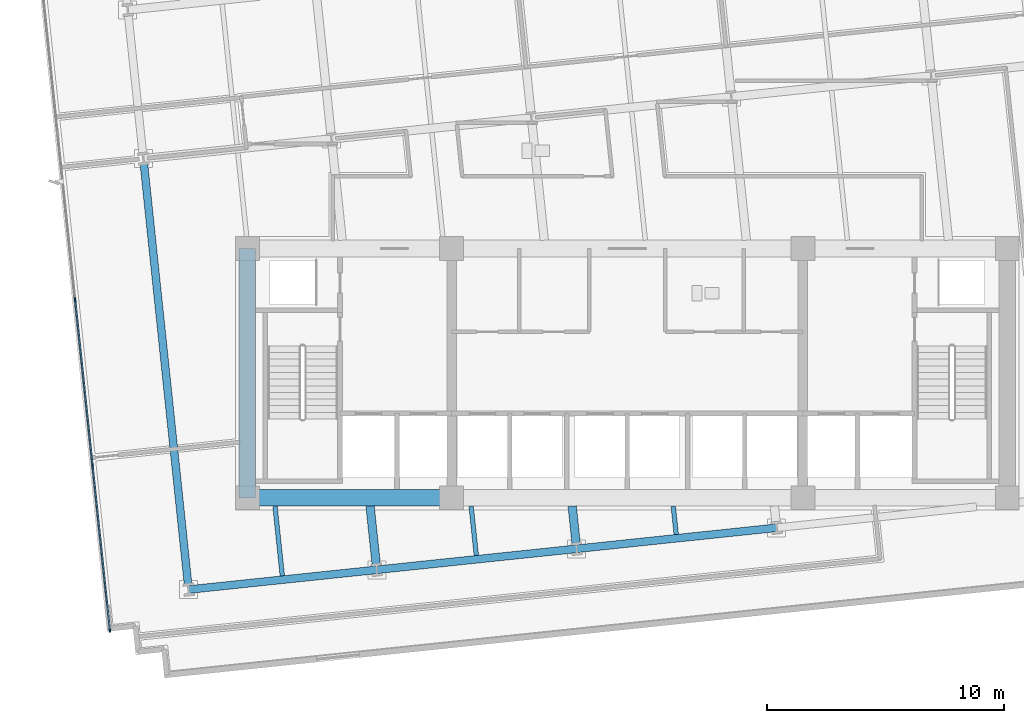
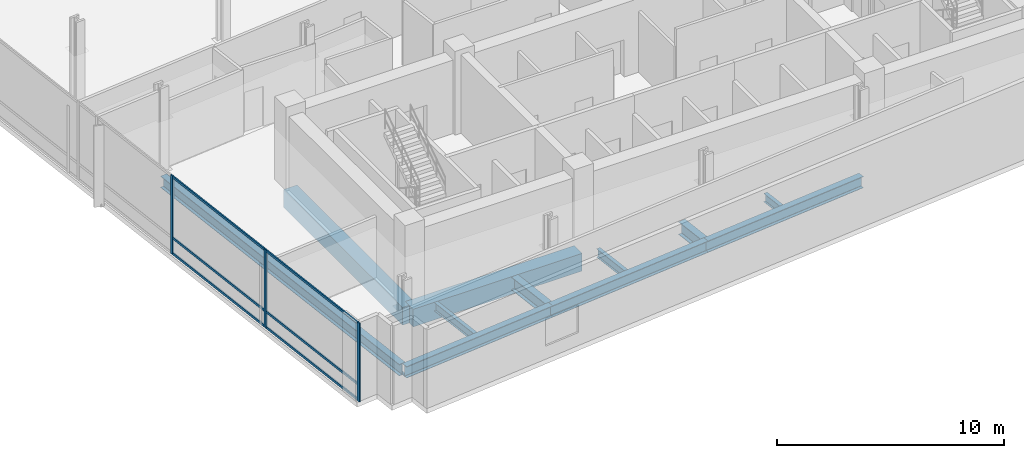
# One storey, part 2 of 20: 11 beams, 9 members, 1 element without a shape of its own.
"""IFC4 building model written with IfcOpenShell, lengths in metres."""

from ifc_helpers import new_model, si_unit, direction, frame, origin, origin_2d, place, context, subcontext, project, spatial, rectangle, i_section, extrude, material, material_profile, profile_set, type_object, element, aggregate, save


model = new_model("IFC4")

# Units and contexts
model_context = context("Model", 3, precision=1e-05, world=origin(), true_north=direction((0.0, 1.0)))
body_context = subcontext(model_context, "Body", "Model", "MODEL_VIEW")
ifc_project = project(units=[si_unit("LENGTHUNIT", "METRE"), si_unit("AREAUNIT", "SQUARE_METRE"), si_unit("VOLUMEUNIT", "CUBIC_METRE"), si_unit("PLANEANGLEUNIT", "RADIAN"), si_unit("MASSUNIT", "GRAM", prefix="KILO")], contexts=[model_context])

# Site, building, storey
site_placement = place(None, origin())
site = spatial("IfcSite", under=ifc_project, at=site_placement, CompositionType="ELEMENT")
building_placement = place(site_placement, origin())
building = spatial("IfcBuilding", under=site, at=building_placement, Name="Solmavex Isthmus Hotel", CompositionType="ELEMENT")
storey_placement = place(building_placement, frame((0.0, 0.0, 101.85009765625)))
storey = spatial("IfcBuildingStorey", under=building, at=storey_placement, Name="L27", CompositionType="ELEMENT", Elevation=101.85009765625)

# Beams
ifc_material_1 = material(Name="Steel ASTM A992 Grade 50", Category="steel")
ifc_material_profile_1 = material_profile(ifc_material_1, i_section(OverallWidth=0.354736328125, OverallDepth=0.695556640625, WebThickness=0.015380859375, FlangeThickness=0.02490234375, FilletRadius=0.017822265625, at=origin_2d()), Name="W27X146")
ifc_profile_set_1 = profile_set([ifc_material_profile_1], Name="Steel ASTM A992 Grade 50")
beam_type_1 = type_object("IfcBeamType", Name="BM-BG-W27X146", PredefinedType="BEAM", material=ifc_profile_set_1)
beam_1_placement = place(storey_placement, frame((-10.568115234375, -15.868896484375, -0.60791015625), z_axis=(-0.104589444628, 0.994515484079, 0.0), x_axis=(-0.994515484079, -0.104589444628, 0.0)))
element("IfcBeam", 1, at=beam_1_placement, inside=storey, type_object=beam_type_1, Name="Floor Beam L27-VG28", PredefinedType="BEAM", context=body_context, shape_type="SweptSolid", body=[
    extrude(i_section(OverallWidth=0.354736328125, OverallDepth=0.695556640625, WebThickness=0.015380859375, FlangeThickness=0.02490234375, FilletRadius=0.017822265625, at=origin_2d()), origin(), (0.0, 0.0, 1.0), 2.53271484375),
])
beam_2_placement = place(storey_placement, frame((-2.148681640625, -14.984130859375, -0.60791015625), z_axis=(-0.104460468373, 0.99452903957, 0.0), x_axis=(-0.99452903957, -0.104460468373, 0.0)))
element("IfcBeam", 2, at=beam_2_placement, inside=storey, type_object=beam_type_1, Name="Floor Beam L27-VG32", PredefinedType="BEAM", context=body_context, shape_type="SweptSolid", body=[
    extrude(i_section(OverallWidth=0.354736328125, OverallDepth=0.695556640625, WebThickness=0.015380859375, FlangeThickness=0.02490234375, FilletRadius=0.017822265625, at=origin_2d()), origin(), (0.0, 0.0, 1.0), 1.64306640625),
])
ifc_material_profile_2 = material_profile(ifc_material_1, i_section(OverallWidth=0.1904296875, OverallDepth=0.456787109375, WebThickness=0.009033203125, FlangeThickness=0.014404296875, FilletRadius=0.0126953125, at=origin_2d()), Name="W18X50")
ifc_profile_set_2 = profile_set([ifc_material_profile_2], Name="Steel ASTM A992 Grade 50")
beam_type_2 = type_object("IfcBeamType", Name="BM-BJ-W18X50", PredefinedType="JOIST", material=ifc_profile_set_2)
beam_3_placement = place(storey_placement, frame((-14.5302734375, -16.285400390625, -0.488525390625), z_axis=(-0.104555607512, 0.994519042019, 0.0), x_axis=(-0.994519042019, -0.104555607512, 0.0)))
element("IfcBeam", 3, at=beam_3_placement, inside=storey, type_object=beam_type_2, Name="Secondary Floor Joist L27-J01", PredefinedType="JOIST", context=body_context, shape_type="SweptSolid", body=[
    extrude(i_section(OverallWidth=0.1904296875, OverallDepth=0.456787109375, WebThickness=0.009033203125, FlangeThickness=0.014404296875, FilletRadius=0.0126953125, at=origin_2d()), origin(), (0.0, 0.0, 1.0), 2.951416015625),
])
beam_4_placement = place(storey_placement, frame((-6.3583984375, -15.426513671875, -0.488525390625), z_axis=(-0.104538696399, 0.99452081977, 0.0), x_axis=(-0.99452081977, -0.104538696399, 0.0)))
element("IfcBeam", 4, at=beam_4_placement, inside=storey, type_object=beam_type_2, Name="Secondary Floor Joist L27-J05", PredefinedType="JOIST", context=body_context, shape_type="SweptSolid", body=[
    extrude(i_section(OverallWidth=0.1904296875, OverallDepth=0.456787109375, WebThickness=0.009033203125, FlangeThickness=0.014404296875, FilletRadius=0.0126953125, at=origin_2d()), origin(), (0.0, 0.0, 1.0), 2.087890625),
])
beam_5_placement = place(storey_placement, frame((2.061279296875, -14.54150390625, -0.488525390625), z_axis=(-0.104546872872, 0.994519960269, 0.0), x_axis=(-0.994519960269, -0.104546872872, 0.0)))
element("IfcBeam", 5, at=beam_5_placement, inside=storey, type_object=beam_type_2, Name="Secondary Floor Joist L27-J09", PredefinedType="JOIST", context=body_context, shape_type="SweptSolid", body=[
    extrude(i_section(OverallWidth=0.1904296875, OverallDepth=0.456787109375, WebThickness=0.009033203125, FlangeThickness=0.014404296875, FilletRadius=0.0126953125, at=origin_2d()), origin(), (0.0, 0.0, 1.0), 1.197998046875),
])
ifc_material_2 = material(Name="Concrete C60/75", Category="concrete")
ifc_material_profile_3 = material_profile(ifc_material_2, rectangle(XDim=0.699951171875, YDim=0.949951171875, at=origin_2d()), Name="RC700X950")
ifc_profile_set_3 = profile_set([ifc_material_profile_3], Name="Concrete C60/75")
beam_type_3 = type_object("IfcBeamType", Name="BM-CB-700X950", PredefinedType="BEAM", material=ifc_profile_set_3)
beam_6_placement = place(storey_placement, frame((-16.0, -13.0, -0.735107421875), z_axis=(1.0, 0.0, 0.0), x_axis=(0.0, 1.0, 0.0)))
element("IfcBeam", 6, at=beam_6_placement, inside=storey, type_object=beam_type_3, Name="Core Coupling Beam L27-CB1", PredefinedType="BEAM", context=body_context, shape_type="SweptSolid", body=[
    extrude(rectangle(XDim=0.699951171875, YDim=0.949951171875, at=origin_2d()), origin(), (0.0, 0.0, 1.0), 8.60009765625),
])
beam_7_placement = place(storey_placement, frame((-16.0, -13.0, -0.735107421875), z_axis=(0.0, 1.0, 0.0), x_axis=(-1.0, 0.0, 0.0)))
element("IfcBeam", 7, at=beam_7_placement, inside=storey, type_object=beam_type_3, Name="Core Coupling Beam L27-CB7", PredefinedType="BEAM", context=body_context, shape_type="SweptSolid", body=[
    extrude(rectangle(XDim=0.699951171875, YDim=0.949951171875, at=origin_2d()), origin(), (0.0, 0.0, 1.0), 10.5),
])
ifc_material_profile_4 = material_profile(ifc_material_1, i_section(OverallWidth=0.326416015625, OverallDepth=0.621826171875, WebThickness=0.015380859375, FlangeThickness=0.0244140625, FilletRadius=0.01513671875, at=origin_2d()), Name="W24X131")
ifc_profile_set_4 = profile_set([ifc_material_profile_4], Name="Steel ASTM A992 Grade 50")
beam_type_4 = type_object("IfcBeamType", Name="BM-SP-W24X131", PredefinedType="SPANDREL", material=ifc_profile_set_4)
beam_8_placement = place(storey_placement, frame((-18.475341796875, -16.8642578125, -0.571044921875), z_axis=(0.994523402738, 0.104514120609, 0.0), x_axis=(-0.104514120609, 0.994523402738, 0.0)))
element("IfcBeam", 8, at=beam_8_placement, inside=storey, type_object=beam_type_4, Name="Floor Girder L27-UG01", PredefinedType="SPANDREL", context=body_context, shape_type="SweptSolid", body=[
    extrude(i_section(OverallWidth=0.326416015625, OverallDepth=0.621826171875, WebThickness=0.015380859375, FlangeThickness=0.0244140625, FilletRadius=0.01513671875, at=origin_2d()), origin(), (0.0, 0.0, 1.0), 7.968017578125),
])
beam_9_placement = place(storey_placement, frame((-10.551025390625, -16.031494140625, -0.571044921875), z_axis=(0.994520770064, 0.104539169271, 0.0), x_axis=(-0.104539169271, 0.994520770064, 0.0)))
element("IfcBeam", 9, at=beam_9_placement, inside=storey, type_object=beam_type_4, Name="Floor Girder L27-UG02", PredefinedType="SPANDREL", context=body_context, shape_type="SweptSolid", body=[
    extrude(i_section(OverallWidth=0.326416015625, OverallDepth=0.621826171875, WebThickness=0.015380859375, FlangeThickness=0.0244140625, FilletRadius=0.01513671875, at=origin_2d()), origin(), (0.0, 0.0, 1.0), 8.4658203125),
])
beam_10_placement = place(storey_placement, frame((-2.131591796875, -15.146484375, -0.571044921875), z_axis=(0.994521085209, 0.104536171134, 0.0), x_axis=(-0.104536171134, 0.994521085209, 0.0)))
element("IfcBeam", 10, at=beam_10_placement, inside=storey, type_object=beam_type_4, Name="Floor Girder L27-UG03", PredefinedType="SPANDREL", context=body_context, shape_type="SweptSolid", body=[
    extrude(i_section(OverallWidth=0.326416015625, OverallDepth=0.621826171875, WebThickness=0.015380859375, FlangeThickness=0.0244140625, FilletRadius=0.01513671875, at=origin_2d()), origin(), (0.0, 0.0, 1.0), 8.466064453125),
])
beam_11_placement = place(storey_placement, frame((-18.492431640625, -16.701904296875, -0.571044921875), z_axis=(-0.104530088192, 0.99452172458, 0.0), x_axis=(-0.99452172458, -0.104530088192, 0.0)))
element("IfcBeam", 11, at=beam_11_placement, inside=storey, type_object=beam_type_4, Name="Floor Beam L27-VG25", PredefinedType="SPANDREL", context=body_context, shape_type="SweptSolid", body=[
    extrude(i_section(OverallWidth=0.326416015625, OverallDepth=0.621826171875, WebThickness=0.015380859375, FlangeThickness=0.0244140625, FilletRadius=0.01513671875, at=origin_2d()), origin(), (0.0, 0.0, 1.0), 17.909423828125),
])

# Curtain wall, members
ifc_material_3 = material(Name="Aluminium alloy 6063-T6", Category="aluminium")
curtain_wall_type = type_object("IfcCurtainWallType", Name="CW-SYS-05", PredefinedType="NOTDEFINED", material=ifc_material_3)
curtain_wall_placement = place(storey_placement, origin())
curtain_wall = element("IfcCurtainWall", 12, at=curtain_wall_placement, inside=storey, type_object=curtain_wall_type, Name="Stick Curtain Wall CWL-L27-W1", PredefinedType="NOTDEFINED")
ifc_material_profile_5 = material_profile(ifc_material_3, rectangle(XDim=0.06494140625, YDim=0.159912109375, at=origin_2d()), Name="CWM-65X160")
ifc_profile_set_5 = profile_set([ifc_material_profile_5], Name="Aluminium alloy 6063-T6")
member_type_1 = type_object("IfcMemberType", Name="CW-SYS-05-MUL", PredefinedType="MULLION", material=ifc_profile_set_5)
member_1_placement = place(storey_placement, frame((-21.79345703125, -18.588134765625, 0.0), z_axis=(0.0, 0.0, 1.0), x_axis=(-0.994521893044, -0.104528485381, 0.0)))
member_1 = element("IfcMember", 13, at=member_1_placement, type_object=member_type_1, Name="CW-05 mullion 1", PredefinedType="MULLION", context=body_context, shape_type="SweptSolid", body=[
    extrude(rectangle(XDim=0.06494140625, YDim=0.159912109375, at=origin_2d()), origin(), (0.0, 0.0, 1.0), 4.239990234375),
])
member_2_placement = place(storey_placement, frame((-22.52392578125, -11.638916015625, 0.0), z_axis=(0.0, 0.0, 1.0), x_axis=(-0.994521893044, -0.104528485381, 0.0)))
member_2 = element("IfcMember", 14, at=member_2_placement, type_object=member_type_1, Name="CW-05 mullion 2", PredefinedType="MULLION", context=body_context, shape_type="SweptSolid", body=[
    extrude(rectangle(XDim=0.06494140625, YDim=0.159912109375, at=origin_2d()), origin(), (0.0, 0.0, 1.0), 4.239990234375),
])
member_3_placement = place(storey_placement, frame((-23.257568359375, -4.6572265625, 0.0), z_axis=(0.0, 0.0, 1.0), x_axis=(-0.994521893044, -0.104528485381, 0.0)))
member_3 = element("IfcMember", 15, at=member_3_placement, type_object=member_type_1, Name="CW-05 mullion 3", PredefinedType="MULLION", context=body_context, shape_type="SweptSolid", body=[
    extrude(rectangle(XDim=0.06494140625, YDim=0.159912109375, at=origin_2d()), origin(), (0.0, 0.0, 1.0), 4.239990234375),
])
ifc_material_profile_6 = material_profile(ifc_material_3, rectangle(XDim=0.06494140625, YDim=0.125, at=origin_2d()), Name="CWT-65X125")
ifc_profile_set_6 = profile_set([ifc_material_profile_6], Name="Aluminium alloy 6063-T6")
member_type_2 = type_object("IfcMemberType", Name="CW-SYS-05-TRN", PredefinedType="USERDEFINED", material=ifc_profile_set_6)
member_4_placement = place(storey_placement, frame((-21.796875, -18.5556640625, 0.0625), z_axis=(-0.10453424226, 0.994521287955, 0.0), x_axis=(-0.994521287955, -0.10453424226, 0.0)))
member_4 = element("IfcMember", 16, at=member_4_placement, type_object=member_type_2, Name="CW-05 transom 1.1", ObjectType="TRANSOM", PredefinedType="USERDEFINED", context=body_context, shape_type="SweptSolid", body=[
    extrude(rectangle(XDim=0.06494140625, YDim=0.125, at=origin_2d()), origin(), (0.0, 0.0, 1.0), 6.92236328125),
])
member_5_placement = place(storey_placement, frame((-21.796875, -18.5556640625, 0.89990234375), z_axis=(-0.10453424226, 0.994521287955, 0.0), x_axis=(-0.994521287955, -0.10453424226, 0.0)))
member_5 = element("IfcMember", 17, at=member_5_placement, type_object=member_type_2, Name="CW-05 transom 1.2", ObjectType="TRANSOM", PredefinedType="USERDEFINED", context=body_context, shape_type="SweptSolid", body=[
    extrude(rectangle(XDim=0.06494140625, YDim=0.125, at=origin_2d()), origin(), (0.0, 0.0, 1.0), 6.92236328125),
])
member_6_placement = place(storey_placement, frame((-21.796875, -18.5556640625, 4.177490234375), z_axis=(-0.10453424226, 0.994521287955, 0.0), x_axis=(-0.994521287955, -0.10453424226, 0.0)))
member_6 = element("IfcMember", 18, at=member_6_placement, type_object=member_type_2, Name="CW-05 transom 1.3", ObjectType="TRANSOM", PredefinedType="USERDEFINED", context=body_context, shape_type="SweptSolid", body=[
    extrude(rectangle(XDim=0.06494140625, YDim=0.125, at=origin_2d()), origin(), (0.0, 0.0, 1.0), 6.92236328125),
])
member_7_placement = place(storey_placement, frame((-22.52734375, -11.6064453125, 0.0625), z_axis=(-0.10450387823, 0.994524479053, 0.0), x_axis=(-0.994524479053, -0.10450387823, 0.0)))
member_7 = element("IfcMember", 19, at=member_7_placement, type_object=member_type_2, Name="CW-05 transom 2.1", ObjectType="TRANSOM", PredefinedType="USERDEFINED", context=body_context, shape_type="SweptSolid", body=[
    extrude(rectangle(XDim=0.06494140625, YDim=0.125, at=origin_2d()), origin(), (0.0, 0.0, 1.0), 6.954833984375),
])
member_8_placement = place(storey_placement, frame((-22.52734375, -11.6064453125, 0.89990234375), z_axis=(-0.10450387823, 0.994524479053, 0.0), x_axis=(-0.994524479053, -0.10450387823, 0.0)))
member_8 = element("IfcMember", 20, at=member_8_placement, type_object=member_type_2, Name="CW-05 transom 2.2", ObjectType="TRANSOM", PredefinedType="USERDEFINED", context=body_context, shape_type="SweptSolid", body=[
    extrude(rectangle(XDim=0.06494140625, YDim=0.125, at=origin_2d()), origin(), (0.0, 0.0, 1.0), 6.954833984375),
])
member_9_placement = place(storey_placement, frame((-22.52734375, -11.6064453125, 4.177490234375), z_axis=(-0.10450387823, 0.994524479053, 0.0), x_axis=(-0.994524479053, -0.10450387823, 0.0)))
member_9 = element("IfcMember", 21, at=member_9_placement, type_object=member_type_2, Name="CW-05 transom 2.3", ObjectType="TRANSOM", PredefinedType="USERDEFINED", context=body_context, shape_type="SweptSolid", body=[
    extrude(rectangle(XDim=0.06494140625, YDim=0.125, at=origin_2d()), origin(), (0.0, 0.0, 1.0), 6.954833984375),
])
aggregate(curtain_wall, [member_1, member_2, member_3, member_4, member_5, member_6, member_7, member_8, member_9])

save(model, "model.ifc")
